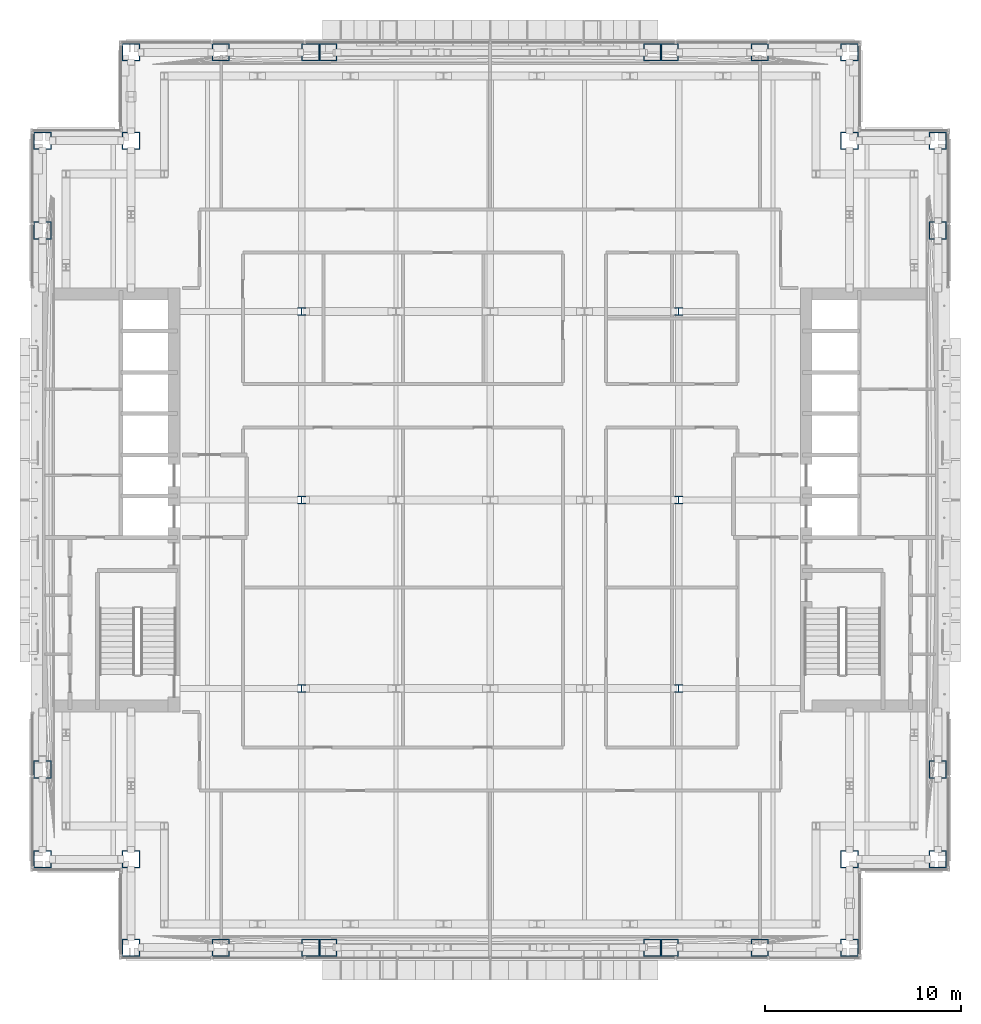
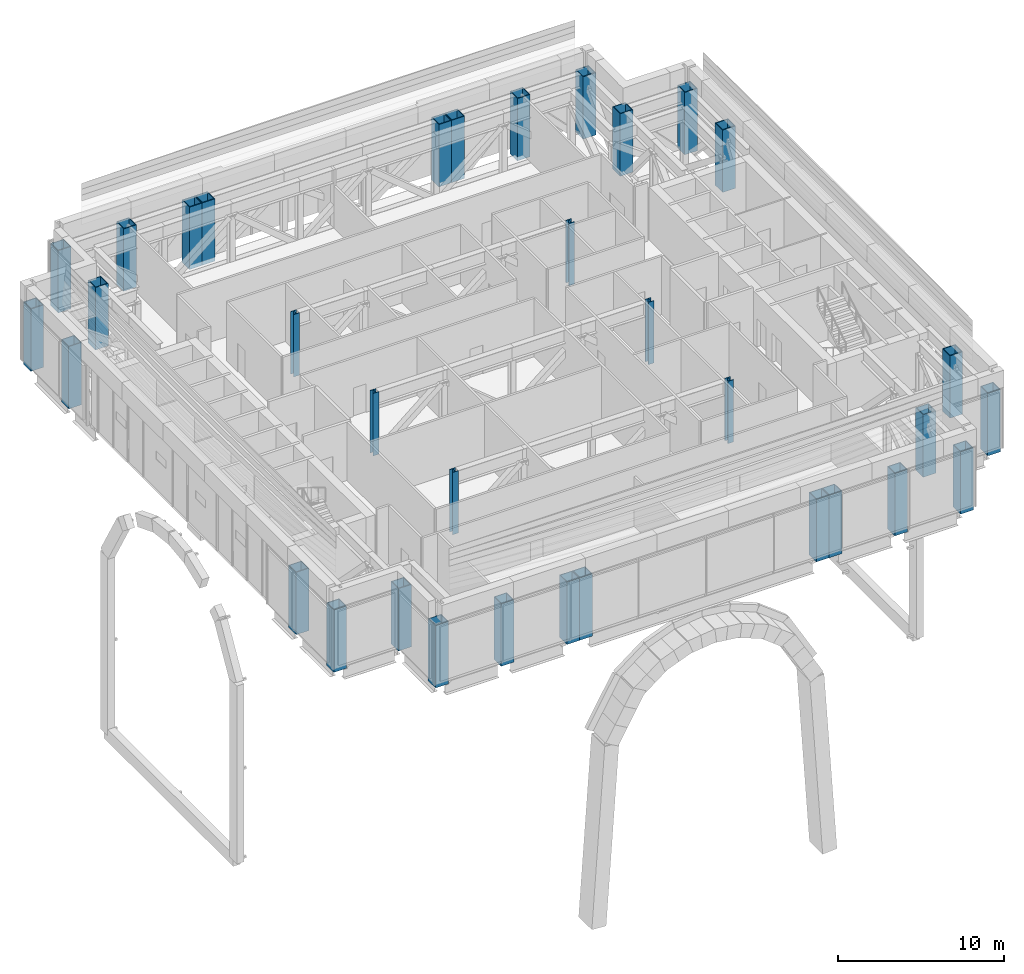
# One storey, part 1 of 38: 34 columns.
"""IFC4 building model written with IfcOpenShell, lengths in metres."""

from ifc_helpers import new_model, si_unit, direction, frame, origin, origin_2d, place, context, subcontext, project, spatial, hollow_rectangle, i_section, extrude, material, material_profile, profile_set, type_object, element, save


model = new_model("IFC4")

# Units and contexts
model_context = context("Model", 3, precision=1e-05, world=origin(), true_north=direction((0.0, 1.0)))
body_context = subcontext(model_context, "Body", "Model", "MODEL_VIEW")
ifc_project = project(units=[si_unit("LENGTHUNIT", "METRE"), si_unit("AREAUNIT", "SQUARE_METRE"), si_unit("VOLUMEUNIT", "CUBIC_METRE"), si_unit("PLANEANGLEUNIT", "RADIAN"), si_unit("MASSUNIT", "GRAM", prefix="KILO")], contexts=[model_context])

# Site, building, storey
site_placement = place(None, origin())
site = spatial("IfcSite", under=ifc_project, at=site_placement, CompositionType="ELEMENT")
building_placement = place(site_placement, origin())
building = spatial("IfcBuilding", under=site, at=building_placement, Name="Cobrizo Arcos Hotel Tower", CompositionType="ELEMENT")
storey_placement = place(building_placement, frame((0.0, 0.0, 138.0)))
storey = spatial("IfcBuildingStorey", under=building, at=storey_placement, Name="L35", CompositionType="ELEMENT", Elevation=138.0)

# Columns
ifc_material_1 = material(Name="Steel ASTM A572 Grade 50", Category="steel")
ifc_material_profile_1 = material_profile(ifc_material_1, hollow_rectangle(XDim=0.89990234375, YDim=0.89990234375, WallThickness=0.050048828125, at=origin_2d()), Name="BOX 900X900X50")
ifc_profile_set_1 = profile_set([ifc_material_profile_1], Name="Steel ASTM A572 Grade 50")
column_type_1 = type_object("IfcColumnType", Name="BOX 900X900X50 column", PredefinedType="COLUMN", material=ifc_profile_set_1)
for number, where, z_axis, x_axis, name in (
    (1, (-18.300048828125, 22.800048828125, -0.300048828125), (0.0, 0.0, 1.0), (1.0, 0.0, 0.0), "Perimeter column C6, L35, no. 00"),
    (2, (-18.300048828125, -22.800048828125, -0.300048828125), (0.0, 0.0, 1.0), (1.0, 0.0, 0.0), "Perimeter column C6, L35, no. 01"),
    (3, (-13.72509765625, 22.800048828125, -0.300048828125), (0.0, 0.0, 1.0), (1.0, 0.0, 0.0), "Perimeter column C6, L35, no. 02"),
    (4, (-13.72509765625, -22.800048828125, -0.300048828125), (0.0, 0.0, 1.0), (1.0, 0.0, 0.0), "Perimeter column C6, L35, no. 03"),
    (5, (-9.14990234375, 22.800048828125, -0.300048828125), (0.0, 0.0, 1.0), (1.0, 0.0, 0.0), "Perimeter column C6, L35, no. 04"),
    (6, (-9.14990234375, -22.800048828125, -0.300048828125), (0.0, 0.0, 1.0), (1.0, 0.0, 0.0), "Perimeter column C6, L35, no. 05"),
    (7, (9.14990234375, 22.800048828125, -0.300048828125), (0.0, 0.0, 1.0), (1.0, 0.0, 0.0), "Perimeter column C6, L35, no. 06"),
    (8, (9.14990234375, -22.800048828125, -0.300048828125), (0.0, 0.0, 1.0), (1.0, 0.0, 0.0), "Perimeter column C6, L35, no. 07"),
    (9, (13.72509765625, 22.800048828125, -0.300048828125), (0.0, 0.0, 1.0), (1.0, 0.0, 0.0), "Perimeter column C6, L35, no. 08"),
    (10, (13.72509765625, -22.800048828125, -0.300048828125), (0.0, 0.0, 1.0), (1.0, 0.0, 0.0), "Perimeter column C6, L35, no. 09"),
    (11, (18.300048828125, 22.800048828125, -0.300048828125), (0.0, 0.0, 1.0), (1.0, 0.0, 0.0), "Perimeter column C6, L35, no. 10"),
    (12, (18.300048828125, -22.800048828125, -0.300048828125), (0.0, 0.0, 1.0), (1.0, 0.0, 0.0), "Perimeter column C6, L35, no. 11"),
    (13, (22.800048828125, -18.300048828125, -0.300048828125), (0.0, 0.0, 1.0), (1.0, 0.0, 0.0), "Perimeter column C6, L35, no. 12"),
    (14, (-22.800048828125, -18.300048828125, -0.300048828125), (0.0, 0.0, 1.0), (1.0, 0.0, 0.0), "Perimeter column C6, L35, no. 13"),
    (15, (22.800048828125, -13.72509765625, -0.300048828125), (0.0, 0.0, 1.0), (1.0, 0.0, 0.0), "Perimeter column C6, L35, no. 14"),
    (16, (-22.800048828125, -13.72509765625, -0.300048828125), (0.0, 0.0, 1.0), (1.0, 0.0, 0.0), "Perimeter column C6, L35, no. 15"),
    (17, (22.800048828125, 13.72509765625, -0.300048828125), (0.0, 0.0, 1.0), (1.0, 0.0, 0.0), "Perimeter column C6, L35, no. 16"),
    (18, (-22.800048828125, 13.72509765625, -0.300048828125), (0.0, 0.0, 1.0), (1.0, 0.0, 0.0), "Perimeter column C6, L35, no. 17"),
    (19, (22.800048828125, 18.300048828125, -0.300048828125), (0.0, 0.0, 1.0), (1.0, 0.0, 0.0), "Perimeter column C6, L35, no. 18"),
    (20, (-22.800048828125, 18.300048828125, -0.300048828125), (0.0, 0.0, 1.0), (1.0, 0.0, 0.0), "Perimeter column C6, L35, no. 19"),
    (21, (-18.300048828125, -18.300048828125, -0.300048828125), (0.0, 0.0, 1.0), (1.0, 0.0, 0.0), "Perimeter column C6, L35, no. 20"),
    (22, (-18.300048828125, 18.300048828125, -0.300048828125), (0.0, 0.0, 1.0), (1.0, 0.0, 0.0), "Perimeter column C6, L35, no. 21"),
    (23, (18.300048828125, -18.300048828125, -0.300048828125), (0.0, 0.0, 1.0), (1.0, 0.0, 0.0), "Perimeter column C6, L35, no. 22"),
    (24, (18.300048828125, 18.300048828125, -0.300048828125), (0.0, 0.0, 1.0), (1.0, 0.0, 0.0), "Perimeter column C6, L35, no. 23"),
    (25, (-8.25, 22.800048828125, -0.300048828125), (0.0, 0.0, 1.0), (1.0, 0.0, 0.0), "Perimeter column C6, L35, no. 24"),
    (26, (-8.25, -22.800048828125, -0.300048828125), (0.0, 0.0, 1.0), (1.0, 0.0, 0.0), "Perimeter column C6, L35, no. 25"),
    (27, (8.25, 22.800048828125, -0.300048828125), (0.0, 0.0, 1.0), (1.0, 0.0, 0.0), "Perimeter column C6, L35, no. 26"),
    (28, (8.25, -22.800048828125, -0.300048828125), (0.0, 0.0, 1.0), (1.0, 0.0, 0.0), "Perimeter column C6, L35, no. 27"),
):
    element("IfcColumn", number, at=place(storey_placement, frame(where, z_axis=z_axis, x_axis=x_axis)), inside=storey, type_object=column_type_1, Name=name, PredefinedType="COLUMN", context=body_context, shape_type="SweptSolid", body=[
        extrude(hollow_rectangle(XDim=0.89990234375, YDim=0.89990234375, WallThickness=0.050048828125, at=origin_2d()), origin(), (0.0, 0.0, 1.0), 4.60009765625),
    ])
ifc_material_2 = material(Name="Steel ASTM A992 Grade 50", Category="steel")
ifc_material_profile_2 = material_profile(ifc_material_2, i_section(OverallWidth=0.398681640625, OverallDepth=0.393798828125, WebThickness=0.022705078125, FlangeThickness=0.03662109375, at=origin_2d()), Name="W14X193")
ifc_profile_set_2 = profile_set([ifc_material_profile_2], Name="Steel ASTM A992 Grade 50")
column_type_2 = type_object("IfcColumnType", Name="W14X193 interior column", PredefinedType="COLUMN", material=ifc_profile_set_2)
for number, where, z_axis, x_axis, name in (
    (29, (-9.60009765625, -9.60009765625, -0.300048828125), (0.0, 0.0, 1.0), (1.0, 0.0, 0.0), "Interior column C7, L35, no. 00"),
    (30, (-9.60009765625, 0.0, -0.300048828125), (0.0, 0.0, 1.0), (1.0, 0.0, 0.0), "Interior column C7, L35, no. 01"),
    (31, (-9.60009765625, 9.60009765625, -0.300048828125), (0.0, 0.0, 1.0), (1.0, 0.0, 0.0), "Interior column C7, L35, no. 02"),
    (32, (9.60009765625, -9.60009765625, -0.300048828125), (0.0, 0.0, 1.0), (1.0, 0.0, 0.0), "Interior column C7, L35, no. 03"),
    (33, (9.60009765625, 0.0, -0.300048828125), (0.0, 0.0, 1.0), (1.0, 0.0, 0.0), "Interior column C7, L35, no. 04"),
    (34, (9.60009765625, 9.60009765625, -0.300048828125), (0.0, 0.0, 1.0), (1.0, 0.0, 0.0), "Interior column C7, L35, no. 05"),
):
    element("IfcColumn", number, at=place(storey_placement, frame(where, z_axis=z_axis, x_axis=x_axis)), inside=storey, type_object=column_type_2, Name=name, PredefinedType="COLUMN", context=body_context, shape_type="SweptSolid", body=[
        extrude(i_section(OverallWidth=0.398681640625, OverallDepth=0.393798828125, WebThickness=0.022705078125, FlangeThickness=0.03662109375, at=origin_2d()), origin(), (0.0, 0.0, 1.0), 4.60009765625),
    ])

save(model, "model.ifc")
